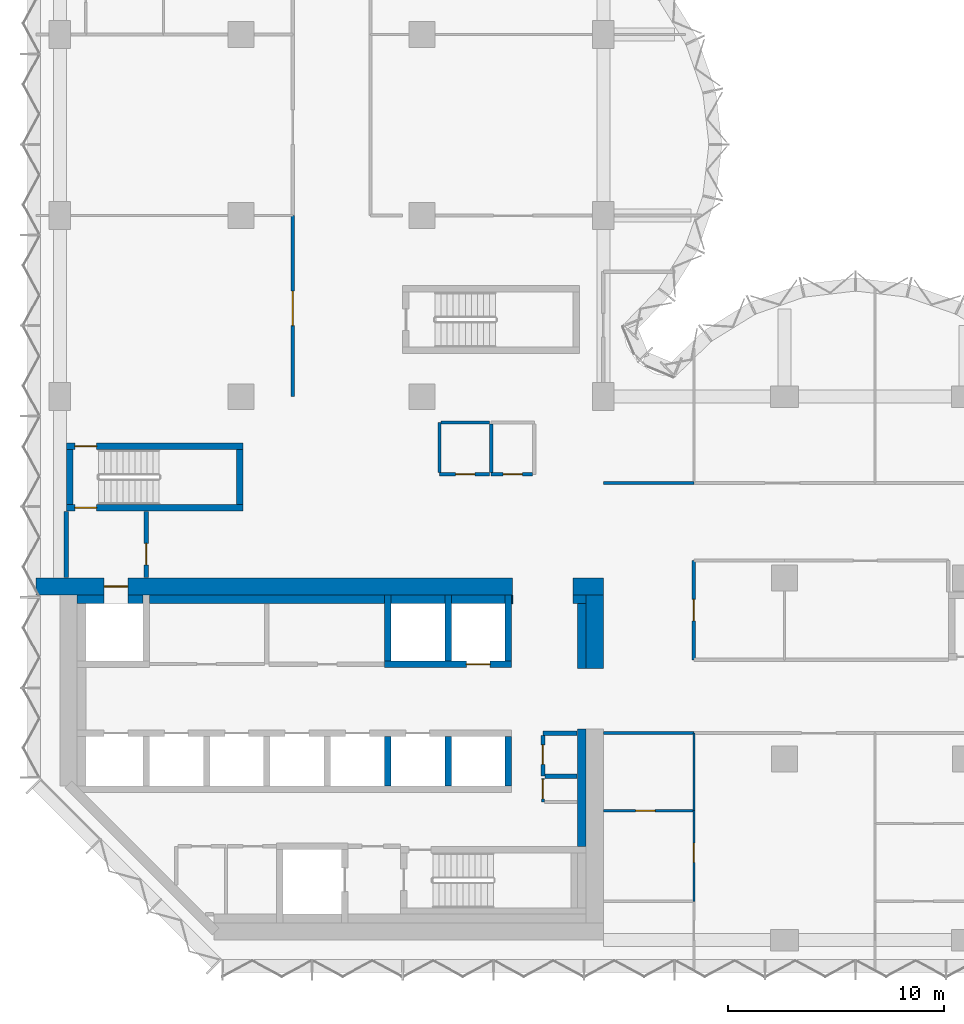
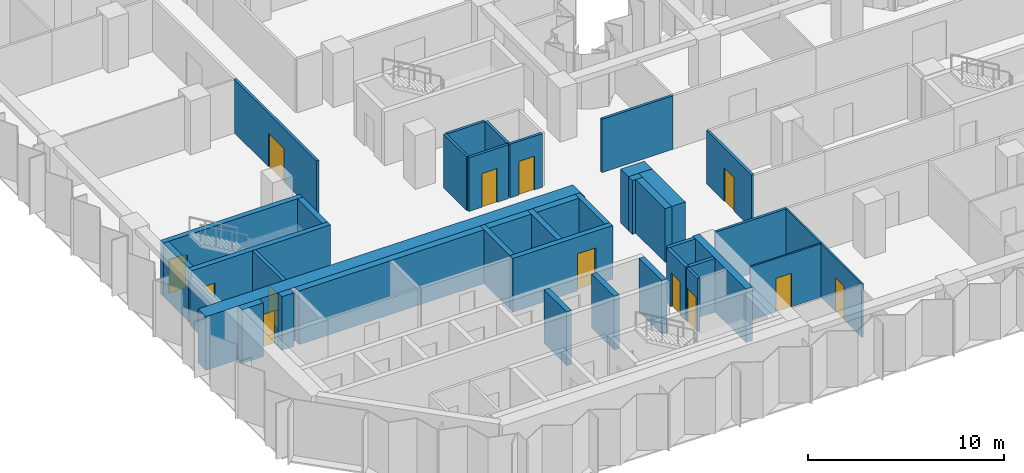
# One storey, part 8 of 13: 41 walls, 13 doors, 13 openings.
"""IFC4 building model written with IfcOpenShell, lengths in metres."""

from ifc_helpers import new_model, si_unit, direction, frame, frame_2d, origin, place, context, subcontext, project, spatial, rectangle, extrude, material, layer, layer_set, type_object, element, fill, save


model = new_model("IFC4")

# Units and contexts
model_context = context("Model", 3, precision=1e-05, world=origin(), true_north=direction((0.0, 1.0)))
body_context = subcontext(model_context, "Body", "Model", "MODEL_VIEW")
ifc_project = project(units=[si_unit("LENGTHUNIT", "METRE"), si_unit("AREAUNIT", "SQUARE_METRE"), si_unit("VOLUMEUNIT", "CUBIC_METRE"), si_unit("PLANEANGLEUNIT", "RADIAN"), si_unit("MASSUNIT", "GRAM", prefix="KILO")], contexts=[model_context])

# Site, building, storey
site_placement = place(None, origin())
site = spatial("IfcSite", under=ifc_project, at=site_placement, CompositionType="ELEMENT")
building_placement = place(site_placement, origin())
building = spatial("IfcBuilding", under=site, at=building_placement, Name="Brevane Broadcast Tower", CompositionType="ELEMENT")
storey_placement = place(building_placement, frame((0.0, 0.0, 102.5)))
storey = spatial("IfcBuildingStorey", under=building, at=storey_placement, Name="L24", CompositionType="ELEMENT", Elevation=102.5)

# Walls
ifc_material_1 = material(Name="Concrete C32/40", Category="concrete")
ifc_layer_1 = layer(ifc_material_1, 0.39990234375)
ifc_layer_set_1 = layer_set([ifc_layer_1], Name="Core chase wall 400 mm")
wall_type_1 = type_object("IfcWallType", Name="Core chase wall 400 mm", PredefinedType="PARTITIONING", material=ifc_layer_set_1)
wall_1_placement = place(storey_placement, frame((24.199951171875, 12.60009765625, 0.0), z_axis=(0.0, 0.0, 1.0), x_axis=(0.0, 1.0, 0.0)))
element("IfcWall", 1, at=wall_1_placement, inside=storey, type_object=wall_type_1, Name="L24 chase wall LE2", PredefinedType="PARTITIONING", context=body_context, shape_type="SweptSolid", body=[
    extrude(rectangle(XDim=3.0, YDim=0.39990234375, at=frame_2d((1.5, 0.0))), origin(), (0.0, 0.0, 1.0), 3.35009765625),
])
wall_2_placement = place(storey_placement, frame((0.800048828125, 15.800048828125, 0.0), z_axis=(0.0, 0.0, 1.0), x_axis=(1.0, 0.0, 0.0)))
element("IfcWall", 2, at=wall_2_placement, inside=storey, type_object=wall_type_1, Name="L24 chase wall LN0", PredefinedType="PARTITIONING", context=body_context, shape_type="SweptSolid", body=[
    extrude(rectangle(XDim=1.25, YDim=0.39990234375, at=frame_2d((0.625, 0.0))), origin(), (0.0, 0.0, 1.0), 3.35009765625),
])
wall_3_placement = place(storey_placement, frame((23.800048828125, 15.800048828125, 0.0), z_axis=(0.0, 0.0, 1.0), x_axis=(1.0, 0.0, 0.0)))
element("IfcWall", 3, at=wall_3_placement, inside=storey, type_object=wall_type_1, Name="L24 chase wall LN2", PredefinedType="PARTITIONING", context=body_context, shape_type="SweptSolid", body=[
    extrude(rectangle(XDim=0.599853515625, YDim=0.39990234375, at=frame_2d((0.2998046875, 0.0))), origin(), (0.0, 0.0, 1.0), 3.35009765625),
])
wall_4_placement = place(storey_placement, frame((3.14990234375, 15.800048828125, 0.0), z_axis=(0.0, 0.0, 1.0), x_axis=(1.0, 0.0, 0.0)))
element("IfcWall", 4, at=wall_4_placement, inside=storey, type_object=wall_type_1, Name="L24 chase wall LN1-1", PredefinedType="PARTITIONING", context=body_context, shape_type="SweptSolid", body=[
    extrude(rectangle(XDim=0.7001953125, YDim=0.39990234375, at=frame_2d((0.35009765625, 0.0))), origin(), (0.0, 0.0, 1.0), 3.35009765625),
])
wall_5_placement = place(storey_placement, frame((4.14990234375, 15.800048828125, 0.0), z_axis=(0.0, 0.0, 1.0), x_axis=(1.0, 0.0, 0.0)))
element("IfcWall", 5, at=wall_5_placement, inside=storey, type_object=wall_type_1, Name="L24 chase wall LN1-2-1", PredefinedType="PARTITIONING", context=body_context, shape_type="SweptSolid", body=[
    extrude(rectangle(XDim=10.900146484375, YDim=0.39990234375, at=frame_2d((5.4501953125, 0.0))), origin(), (0.0, 0.0, 1.0), 3.35009765625),
])
for number, where, z_axis, x_axis, name in (
    (6, (15.35009765625, 15.800048828125, 0.0), (0.0, 0.0, 1.0), (1.0, 0.0, 0.0), "L24 chase wall LN1-2-2-1"),
    (7, (18.14990234375, 15.800048828125, 0.0), (0.0, 0.0, 1.0), (1.0, 0.0, 0.0), "L24 chase wall LN1-2-2-2-1"),
):
    element("IfcWall", number, at=place(storey_placement, frame(where, z_axis=z_axis, x_axis=x_axis)), inside=storey, type_object=wall_type_1, Name=name, PredefinedType="PARTITIONING", context=body_context, shape_type="SweptSolid", body=[
        extrude(rectangle(XDim=2.5, YDim=0.39990234375, at=frame_2d((1.25, 0.0))), origin(), (0.0, 0.0, 1.0), 3.35009765625),
    ])
wall_6_placement = place(storey_placement, frame((20.949951171875, 15.800048828125, 0.0), z_axis=(0.0, 0.0, 1.0), x_axis=(1.0, 0.0, 0.0)))
element("IfcWall", 8, at=wall_6_placement, inside=storey, type_object=wall_type_1, Name="L24 chase wall LN1-2-2-2-2", PredefinedType="PARTITIONING", context=body_context, shape_type="SweptSolid", body=[
    extrude(rectangle(XDim=0.050048828125, YDim=0.39990234375, at=frame_2d((0.02490234375, 0.0))), origin(), (0.0, 0.0, 1.0), 3.35009765625),
])
wall_7_placement = place(storey_placement, frame((24.199951171875, 4.35009765625, 0.0), z_axis=(0.0, 0.0, 1.0), x_axis=(0.0, 1.0, 0.0)))
element("IfcWall", 9, at=wall_7_placement, inside=storey, type_object=wall_type_1, Name="L24 chase wall LE1-2-2", PredefinedType="PARTITIONING", context=body_context, shape_type="SweptSolid", body=[
    extrude(rectangle(XDim=5.449951171875, YDim=0.39990234375, at=frame_2d((2.72509765625, 0.0))), origin(), (0.0, 0.0, 1.0), 3.35009765625),
])

# Wall, opening, door
ifc_material_2 = material(Name="Gypsum board on steel studs", Category="steel")
ifc_layer_2 = layer(ifc_material_2, 0.14990234375)
ifc_layer_set_2 = layer_set([ifc_layer_2], Name="Core fire partition 150 mm")
wall_type_2 = type_object("IfcWallType", Name="Core fire partition 150 mm", PredefinedType="PARTITIONING", material=ifc_layer_set_2)
wall_8_placement = place(storey_placement, frame((21.925048828125, 21.60009765625, 0.0), z_axis=(0.0, 0.0, 1.0), x_axis=(-1.0, 0.0, 0.0)))
wall_8 = element("IfcWall", 10, at=wall_8_placement, inside=storey, type_object=wall_type_2, Name="L24 partition wall P17", PredefinedType="PARTITIONING", context=body_context, shape_type="SweptSolid", body=[
    extrude(rectangle(XDim=1.925048828125, YDim=0.14990234375, at=frame_2d((0.96240234375, 0.0))), origin(), (0.0, 0.0, 1.0), 3.35009765625),
])
opening_1_placement = place(wall_8_placement, frame((0.47509765625, 0.0, 0.0)))
opening_1 = element("IfcOpeningElement", 11, at=opening_1_placement, cuts=wall_8, Name="Opening L24-K24", PredefinedType="OPENING", context=body_context, shape_type="SweptSolid", body=[
    extrude(rectangle(XDim=0.89990234375, YDim=2.10009765625, at=frame_2d((0.449951171875, 1.050048828125))), frame((0.0, 0.0849609375, 0.0), z_axis=(0.0, -1.0, 0.0), x_axis=(1.0, 0.0, 0.0)), (0.0, 0.0, 1.0), 0.169921875),
])
ifc_material_3 = material(Name="Timber", Category="wood")
door_type_1 = type_object("IfcDoorType", Name="Toilet door 900 x 2100", OperationType="SINGLE_SWING_LEFT", PredefinedType="DOOR", material=ifc_material_3)
door_1_placement = place(opening_1_placement, origin())
door_1 = element("IfcDoor", 12, at=door_1_placement, inside=storey, type_object=door_type_1, Name="Door L24-K24", OperationType="SINGLE_SWING_RIGHT", OverallHeight=2.10009765625, OverallWidth=0.89990234375, PredefinedType="DOOR", context=body_context, shape_type="SweptSolid", body=[
    extrude(rectangle(XDim=0.89990234375, YDim=2.10009765625, at=frame_2d((0.449951171875, 1.050048828125))), frame((0.0, 0.02490234375, 0.0), z_axis=(0.0, -1.0, 0.0), x_axis=(1.0, 0.0, 0.0)), (0.0, 0.0, 1.0), 0.050048828125),
])
fill(opening_1, door_1)

# Wall
wall_9_placement = place(storey_placement, frame((20.0, 21.675048828125, 0.0), z_axis=(0.0, 0.0, 1.0), x_axis=(0.0, 1.0, 0.0)))
element("IfcWall", 13, at=wall_9_placement, inside=storey, type_object=wall_type_2, Name="L24 partition wall P18", PredefinedType="PARTITIONING", context=body_context, shape_type="SweptSolid", body=[
    extrude(rectangle(XDim=2.25, YDim=0.14990234375, at=frame_2d((1.125, 0.0))), origin(), (0.0, 0.0, 1.0), 3.35009765625),
])

# Wall, opening, door
wall_10_placement = place(storey_placement, frame((19.925048828125, 21.60009765625, 0.0), z_axis=(0.0, 0.0, 1.0), x_axis=(-1.0, 0.0, 0.0)))
wall_10 = element("IfcWall", 14, at=wall_10_placement, inside=storey, type_object=wall_type_2, Name="L24 partition wall P19", PredefinedType="PARTITIONING", context=body_context, shape_type="SweptSolid", body=[
    extrude(rectangle(XDim=2.324951171875, YDim=0.14990234375, at=frame_2d((1.16259765625, 0.0))), origin(), (0.0, 0.0, 1.0), 3.35009765625),
])
opening_2_placement = place(wall_10_placement, frame((0.675048828125, 0.0, 0.0)))
opening_2 = element("IfcOpeningElement", 15, at=opening_2_placement, cuts=wall_10, Name="Opening L24-K25", PredefinedType="OPENING", context=body_context, shape_type="SweptSolid", body=[
    extrude(rectangle(XDim=0.89990234375, YDim=2.10009765625, at=frame_2d((0.449951171875, 1.050048828125))), frame((0.0, 0.0849609375, 0.0), z_axis=(0.0, -1.0, 0.0), x_axis=(1.0, 0.0, 0.0)), (0.0, 0.0, 1.0), 0.169921875),
])
ifc_material_4 = material(Name="Steel", Category="steel")
door_type_2 = type_object("IfcDoorType", Name="Service room door 900 x 2100", OperationType="SINGLE_SWING_LEFT", PredefinedType="DOOR", material=ifc_material_4)
door_2_placement = place(opening_2_placement, origin())
door_2 = element("IfcDoor", 16, at=door_2_placement, inside=storey, type_object=door_type_2, Name="Door L24-K25", OperationType="SINGLE_SWING_LEFT", OverallHeight=2.10009765625, OverallWidth=0.89990234375, PredefinedType="DOOR", context=body_context, shape_type="SweptSolid", body=[
    extrude(rectangle(XDim=0.89990234375, YDim=2.10009765625, at=frame_2d((0.449951171875, 1.050048828125))), frame((0.0, 0.02490234375, 0.0), z_axis=(0.0, -1.0, 0.0), x_axis=(1.0, 0.0, 0.0)), (0.0, 0.0, 1.0), 0.050048828125),
])
fill(opening_2, door_2)

# Walls
wall_11_placement = place(storey_placement, frame((17.60009765625, 21.675048828125, 0.0), z_axis=(0.0, 0.0, 1.0), x_axis=(0.0, 1.0, 0.0)))
element("IfcWall", 17, at=wall_11_placement, inside=storey, type_object=wall_type_2, Name="L24 partition wall P20", PredefinedType="PARTITIONING", context=body_context, shape_type="SweptSolid", body=[
    extrude(rectangle(XDim=2.324951171875, YDim=0.14990234375, at=frame_2d((1.16259765625, 0.0))), origin(), (0.0, 0.0, 1.0), 3.35009765625),
])
wall_12_placement = place(storey_placement, frame((17.675048828125, 24.0, 0.0), z_axis=(0.0, 0.0, 1.0), x_axis=(1.0, 0.0, 0.0)))
element("IfcWall", 18, at=wall_12_placement, inside=storey, type_object=wall_type_2, Name="L24 partition wall P21", PredefinedType="PARTITIONING", context=body_context, shape_type="SweptSolid", body=[
    extrude(rectangle(XDim=2.25, YDim=0.14990234375, at=frame_2d((1.125, 0.0))), origin(), (0.0, 0.0, 1.0), 3.35009765625),
])

# Wall, opening, door
wall_13_placement = place(storey_placement, frame((22.39990234375, 7.5, 0.0), z_axis=(0.0, 0.0, 1.0), x_axis=(0.0, -1.0, 0.0)))
wall_13 = element("IfcWall", 19, at=wall_13_placement, inside=storey, type_object=wall_type_2, Name="L24 partition wall P22", PredefinedType="PARTITIONING", context=body_context, shape_type="SweptSolid", body=[
    extrude(rectangle(XDim=1.10009765625, YDim=0.14990234375, at=frame_2d((0.550048828125, 0.0))), origin(), (0.0, 0.0, 1.0), 3.35009765625),
])
opening_3_placement = place(wall_13_placement, frame((0.050048828125, 0.0, 0.0)))
opening_3 = element("IfcOpeningElement", 20, at=opening_3_placement, cuts=wall_13, Name="Opening L24-K19", PredefinedType="OPENING", context=body_context, shape_type="SweptSolid", body=[
    extrude(rectangle(XDim=0.89990234375, YDim=2.10009765625, at=frame_2d((0.449951171875, 1.050048828125))), frame((0.0, 0.0849609375, 0.0), z_axis=(0.0, -1.0, 0.0), x_axis=(1.0, 0.0, 0.0)), (0.0, 0.0, 1.0), 0.169921875),
])
door_3_placement = place(opening_3_placement, origin())
door_3 = element("IfcDoor", 21, at=door_3_placement, inside=storey, type_object=door_type_2, Name="Door L24-K19", OperationType="SINGLE_SWING_LEFT", OverallHeight=2.10009765625, OverallWidth=0.89990234375, PredefinedType="DOOR", context=body_context, shape_type="SweptSolid", body=[
    extrude(rectangle(XDim=0.89990234375, YDim=2.10009765625, at=frame_2d((0.449951171875, 1.050048828125))), frame((0.0, 0.02490234375, 0.0), z_axis=(0.0, -1.0, 0.0), x_axis=(1.0, 0.0, 0.0)), (0.0, 0.0, 1.0), 0.050048828125),
])
fill(opening_3, door_3)

# Wall
ifc_layer_3 = layer(ifc_material_2, 0.199951171875)
ifc_layer_set_3 = layer_set([ifc_layer_3], Name="Core fire partition 200 mm")
wall_type_3 = type_object("IfcWallType", Name="Core fire partition 200 mm", PredefinedType="PARTITIONING", material=ifc_layer_set_3)
wall_14_placement = place(storey_placement, frame((0.300048828125, 16.81201171875, 0.0), z_axis=(0.0, 0.0, 1.0), x_axis=(0.0, 1.0, 0.0)))
element("IfcWall", 22, at=wall_14_placement, inside=storey, type_object=wall_type_3, Name="L24 partition wall P01", PredefinedType="PARTITIONING", context=body_context, shape_type="SweptSolid", body=[
    extrude(rectangle(XDim=3.075927734375, YDim=0.199951171875, at=frame_2d((1.5380859375, 0.0))), origin(), (0.0, 0.0, 1.0), 2.97998046875),
])

# Wall, opening, door
wall_15_placement = place(storey_placement, frame((4.0, 19.887939453125, 0.0), z_axis=(0.0, 0.0, 1.0), x_axis=(0.0, -1.0, 0.0)))
wall_15 = element("IfcWall", 23, at=wall_15_placement, inside=storey, type_object=wall_type_3, Name="L24 partition wall P02", PredefinedType="PARTITIONING", context=body_context, shape_type="SweptSolid", body=[
    extrude(rectangle(XDim=3.075927734375, YDim=0.199951171875, at=frame_2d((1.5380859375, 0.0))), origin(), (0.0, 0.0, 1.0), 3.35009765625),
])
opening_4_placement = place(wall_15_placement, frame((1.488037109375, 0.0, 0.0)))
opening_4 = element("IfcOpeningElement", 24, at=opening_4_placement, cuts=wall_15, Name="Opening L24-K23", PredefinedType="OPENING", context=body_context, shape_type="SweptSolid", body=[
    extrude(rectangle(XDim=1.0, YDim=2.10009765625, at=frame_2d((0.5, 1.050048828125))), frame((0.0, 0.10986328125, 0.0), z_axis=(0.0, -1.0, 0.0), x_axis=(1.0, 0.0, 0.0)), (0.0, 0.0, 1.0), 0.219970703125),
])
door_type_3 = type_object("IfcDoorType", Name="Stair door 1000 x 2100", OperationType="SINGLE_SWING_LEFT", PredefinedType="DOOR", material=ifc_material_4)
door_4_placement = place(opening_4_placement, origin())
door_4 = element("IfcDoor", 25, at=door_4_placement, inside=storey, type_object=door_type_3, Name="Door L24-K23", OperationType="SINGLE_SWING_LEFT", OverallHeight=2.10009765625, OverallWidth=1.0, PredefinedType="DOOR", context=body_context, shape_type="SweptSolid", body=[
    extrude(rectangle(XDim=1.0, YDim=2.10009765625, at=frame_2d((0.5, 1.050048828125))), frame((0.0, 0.02490234375, 0.0), z_axis=(0.0, -1.0, 0.0), x_axis=(1.0, 0.0, 0.0)), (0.0, 0.0, 1.0), 0.050048828125),
])
fill(opening_4, door_4)

# Wall
wall_16_placement = place(storey_placement, frame((23.988037109375, 9.60009765625, 0.0), z_axis=(0.0, 0.0, 1.0), x_axis=(-1.0, 0.0, 0.0)))
element("IfcWall", 26, at=wall_16_placement, inside=storey, type_object=wall_type_3, Name="L24 partition wall P06", PredefinedType="PARTITIONING", context=body_context, shape_type="SweptSolid", body=[
    extrude(rectangle(XDim=1.588134765625, YDim=0.199951171875, at=frame_2d((0.7939453125, 0.0))), origin(), (0.0, 0.0, 1.0), 3.35009765625),
])

# Wall, opening, door
wall_17_placement = place(storey_placement, frame((22.39990234375, 9.5, 0.0), z_axis=(0.0, 0.0, 1.0), x_axis=(0.0, -1.0, 0.0)))
wall_17 = element("IfcWall", 27, at=wall_17_placement, inside=storey, type_object=wall_type_3, Name="L24 partition wall P07", PredefinedType="PARTITIONING", context=body_context, shape_type="SweptSolid", body=[
    extrude(rectangle(XDim=1.89990234375, YDim=0.199951171875, at=frame_2d((0.949951171875, 0.0))), origin(), (0.0, 0.0, 1.0), 3.35009765625),
])
opening_5_placement = place(wall_17_placement, frame((0.449951171875, 0.0, 0.0)))
opening_5 = element("IfcOpeningElement", 28, at=opening_5_placement, cuts=wall_17, Name="Opening L24-K20", PredefinedType="OPENING", context=body_context, shape_type="SweptSolid", body=[
    extrude(rectangle(XDim=0.89990234375, YDim=2.10009765625, at=frame_2d((0.449951171875, 1.050048828125))), frame((0.0, 0.10986328125, 0.0), z_axis=(0.0, -1.0, 0.0), x_axis=(1.0, 0.0, 0.0)), (0.0, 0.0, 1.0), 0.219970703125),
])
door_5_placement = place(opening_5_placement, origin())
door_5 = element("IfcDoor", 29, at=door_5_placement, inside=storey, type_object=door_type_2, Name="Door L24-K20", OperationType="SINGLE_SWING_RIGHT", OverallHeight=2.10009765625, OverallWidth=0.89990234375, PredefinedType="DOOR", context=body_context, shape_type="SweptSolid", body=[
    extrude(rectangle(XDim=0.89990234375, YDim=2.10009765625, at=frame_2d((0.449951171875, 1.050048828125))), frame((0.0, 0.02490234375, 0.0), z_axis=(0.0, -1.0, 0.0), x_axis=(1.0, 0.0, 0.0)), (0.0, 0.0, 1.0), 0.050048828125),
])
fill(opening_5, door_5)

# Walls
wall_18_placement = place(storey_placement, frame((22.5, 7.60009765625, 0.0), z_axis=(0.0, 0.0, 1.0), x_axis=(1.0, 0.0, 0.0)))
element("IfcWall", 30, at=wall_18_placement, inside=storey, type_object=wall_type_3, Name="L24 partition wall P08", PredefinedType="PARTITIONING", context=body_context, shape_type="SweptSolid", body=[
    extrude(rectangle(XDim=1.488037109375, YDim=0.199951171875, at=frame_2d((0.744140625, 0.0))), origin(), (0.0, 0.0, 1.0), 3.35009765625),
])
ifc_material_5 = material(Name="Concrete C60/75", Category="concrete")
ifc_layer_4 = layer(ifc_material_5, 0.300048828125)
ifc_layer_set_4 = layer_set([ifc_layer_4], Name="Core wall 300 mm C60/75")
wall_type_4 = type_object("IfcWallType", Name="Core wall 300 mm C60/75", PredefinedType="SHEAR", material=ifc_layer_set_4)
for number, where, z_axis, x_axis, name in (
    (31, (15.199951171875, 7.14990234375, 0.0), (0.0, 0.0, 1.0), (0.0, 1.0, 0.0), "L24 shaft wall SH-S-P152"),
    (32, (18.0, 7.14990234375, 0.0), (0.0, 0.0, 1.0), (0.0, 1.0, 0.0), "L24 shaft wall SH-S-P180"),
    (33, (20.800048828125, 7.14990234375, 0.0), (0.0, 0.0, 1.0), (0.0, 1.0, 0.0), "L24 shaft wall SH-S-P208"),
):
    element("IfcWall", number, at=place(storey_placement, frame(where, z_axis=z_axis, x_axis=x_axis)), inside=storey, type_object=wall_type_4, Name=name, PredefinedType="SHEAR", context=body_context, shape_type="SweptSolid", body=[
        extrude(rectangle(XDim=2.300048828125, YDim=0.300048828125, at=frame_2d((1.14990234375, 0.0))), origin(), (0.0, 0.0, 1.0), 3.35009765625),
    ])

# Wall, opening, door
wall_19_placement = place(storey_placement, frame((15.050048828125, 12.800048828125, 0.0), z_axis=(0.0, 0.0, 1.0), x_axis=(1.0, 0.0, 0.0)))
wall_19 = element("IfcWall", 34, at=wall_19_placement, inside=storey, type_object=wall_type_4, Name="L24 shaft wall SH-N152-front", PredefinedType="SHEAR", context=body_context, shape_type="SweptSolid", body=[
    extrude(rectangle(XDim=5.89990234375, YDim=0.300048828125, at=frame_2d((2.949951171875, 0.0))), origin(), (0.0, 0.0, 1.0), 3.35009765625),
])
opening_6_placement = place(wall_19_placement, frame((3.800048828125, 0.0, 0.0)))
opening_6 = element("IfcOpeningElement", 35, at=opening_6_placement, cuts=wall_19, Name="Opening LD", PredefinedType="OPENING", context=body_context, shape_type="SweptSolid", body=[
    extrude(rectangle(XDim=1.10009765625, YDim=2.300048828125, at=frame_2d((0.550048828125, 1.14990234375))), frame((0.0, 0.159912109375, 0.0), z_axis=(0.0, -1.0, 0.0), x_axis=(1.0, 0.0, 0.0)), (0.0, 0.0, 1.0), 0.320068359375),
])
ifc_material_6 = material(Name="Stainless steel", Category="steel")
door_type_4 = type_object("IfcDoorType", Name="Lift landing door", OperationType="SLIDING_TO_LEFT", PredefinedType="DOOR", material=ifc_material_6)
door_6_placement = place(opening_6_placement, origin())
door_6 = element("IfcDoor", 36, at=door_6_placement, inside=storey, type_object=door_type_4, Name="Landing door SL1 L24", OperationType="SLIDING_TO_LEFT", OverallHeight=2.300048828125, OverallWidth=1.10009765625, PredefinedType="DOOR", context=body_context, shape_type="SweptSolid", body=[
    extrude(rectangle(XDim=1.10009765625, YDim=2.300048828125, at=frame_2d((0.550048828125, 1.14990234375))), frame((0.0, 0.02490234375, 0.0), z_axis=(0.0, -1.0, 0.0), x_axis=(1.0, 0.0, 0.0)), (0.0, 0.0, 1.0), 0.050048828125),
])
fill(opening_6, door_6)

# Walls
for number, where, z_axis, x_axis, name in (
    (37, (15.199951171875, 12.949951171875, 0.0), (0.0, 0.0, 1.0), (0.0, 1.0, 0.0), "L24 shaft wall SH-N-P152"),
    (38, (18.0, 12.949951171875, 0.0), (0.0, 0.0, 1.0), (0.0, 1.0, 0.0), "L24 shaft wall SH-N-P180"),
    (39, (20.800048828125, 12.949951171875, 0.0), (0.0, 0.0, 1.0), (0.0, 1.0, 0.0), "L24 shaft wall SH-N-P208"),
):
    element("IfcWall", number, at=place(storey_placement, frame(where, z_axis=z_axis, x_axis=x_axis)), inside=storey, type_object=wall_type_4, Name=name, PredefinedType="SHEAR", context=body_context, shape_type="SweptSolid", body=[
        extrude(rectangle(XDim=3.050048828125, YDim=0.300048828125, at=frame_2d((1.52490234375, 0.0))), origin(), (0.0, 0.0, 1.0), 3.35009765625),
    ])

# Wall, opening, door
wall_20_placement = place(storey_placement, frame((8.5, 20.050048828125, 0.0), z_axis=(0.0, 0.0, 1.0), x_axis=(-1.0, 0.0, 0.0)))
wall_20 = element("IfcWall", 40, at=wall_20_placement, inside=storey, type_object=wall_type_4, Name="L24 stair wall ST-1-S", PredefinedType="SHEAR", context=body_context, shape_type="SweptSolid", body=[
    extrude(rectangle(XDim=8.199951171875, YDim=0.300048828125, at=frame_2d((4.10009765625, 0.0))), origin(), (0.0, 0.0, 1.0), 3.35009765625),
])
opening_7_placement = place(wall_20_placement, frame((6.800048828125, 0.0, 0.0)))
opening_7 = element("IfcOpeningElement", 41, at=opening_7_placement, cuts=wall_20, Name="Opening L24-K10", PredefinedType="OPENING", context=body_context, shape_type="SweptSolid", body=[
    extrude(rectangle(XDim=1.0, YDim=2.10009765625, at=frame_2d((0.5, 1.050048828125))), frame((0.0, 0.159912109375, 0.0), z_axis=(0.0, -1.0, 0.0), x_axis=(1.0, 0.0, 0.0)), (0.0, 0.0, 1.0), 0.320068359375),
])
door_7_placement = place(opening_7_placement, origin())
door_7 = element("IfcDoor", 42, at=door_7_placement, inside=storey, type_object=door_type_3, Name="Door L24-K10", OperationType="SINGLE_SWING_RIGHT", OverallHeight=2.10009765625, OverallWidth=1.0, PredefinedType="DOOR", context=body_context, shape_type="SweptSolid", body=[
    extrude(rectangle(XDim=1.0, YDim=2.10009765625, at=frame_2d((0.5, 1.050048828125))), frame((0.0, 0.02490234375, 0.0), z_axis=(0.0, -1.0, 0.0), x_axis=(1.0, 0.0, 0.0)), (0.0, 0.0, 1.0), 0.050048828125),
])
fill(opening_7, door_7)

wall_21_placement = place(storey_placement, frame((0.300048828125, 22.89990234375, 0.0), z_axis=(0.0, 0.0, 1.0), x_axis=(1.0, 0.0, 0.0)))
wall_21 = element("IfcWall", 43, at=wall_21_placement, inside=storey, type_object=wall_type_4, Name="L24 stair wall ST-1-N", PredefinedType="SHEAR", context=body_context, shape_type="SweptSolid", body=[
    extrude(rectangle(XDim=8.199951171875, YDim=0.300048828125, at=frame_2d((4.10009765625, 0.0))), origin(), (0.0, 0.0, 1.0), 3.35009765625),
])
opening_8_placement = place(wall_21_placement, frame((0.39990234375, 0.0, 0.0)))
opening_8 = element("IfcOpeningElement", 44, at=opening_8_placement, cuts=wall_21, Name="Opening L24-K11", PredefinedType="OPENING", context=body_context, shape_type="SweptSolid", body=[
    extrude(rectangle(XDim=1.0, YDim=2.10009765625, at=frame_2d((0.5, 1.050048828125))), frame((0.0, 0.159912109375, 0.0), z_axis=(0.0, -1.0, 0.0), x_axis=(1.0, 0.0, 0.0)), (0.0, 0.0, 1.0), 0.320068359375),
])
door_8_placement = place(opening_8_placement, origin())
door_8 = element("IfcDoor", 45, at=door_8_placement, inside=storey, type_object=door_type_3, Name="Door L24-K11", OperationType="SINGLE_SWING_LEFT", OverallHeight=2.10009765625, OverallWidth=1.0, PredefinedType="DOOR", context=body_context, shape_type="SweptSolid", body=[
    extrude(rectangle(XDim=1.0, YDim=2.10009765625, at=frame_2d((0.5, 1.050048828125))), frame((0.0, 0.02490234375, 0.0), z_axis=(0.0, -1.0, 0.0), x_axis=(1.0, 0.0, 0.0)), (0.0, 0.0, 1.0), 0.050048828125),
])
fill(opening_8, door_8)

# Walls
for number, where, z_axis, x_axis, name in (
    (46, (0.449951171875, 20.199951171875, 0.0), (0.0, 0.0, 1.0), (0.0, 1.0, 0.0), "L24 stair wall ST-1-W"),
    (47, (8.35009765625, 20.199951171875, 0.0), (0.0, 0.0, 1.0), (0.0, 1.0, 0.0), "L24 stair wall ST-1-E"),
):
    element("IfcWall", number, at=place(storey_placement, frame(where, z_axis=z_axis, x_axis=x_axis)), inside=storey, type_object=wall_type_4, Name=name, PredefinedType="SHEAR", context=body_context, shape_type="SweptSolid", body=[
        extrude(rectangle(XDim=2.550048828125, YDim=0.300048828125, at=frame_2d((1.27490234375, 0.0))), origin(), (0.0, 0.0, 1.0), 3.35009765625),
    ])

# Wall, opening, door
ifc_layer_5 = layer(ifc_material_5, 0.800048828125)
ifc_layer_set_5 = layer_set([ifc_layer_5], Name="Core wall 800 mm C60/75")
wall_type_5 = type_object("IfcWallType", Name="Core wall 800 mm C60/75", PredefinedType="SHEAR", material=ifc_layer_set_5)
wall_22_placement = place(storey_placement, frame((-1.10009765625, 16.39990234375, 0.0), z_axis=(0.0, 0.0, 1.0), x_axis=(1.0, 0.0, 0.0)))
wall_22 = element("IfcWall", 48, at=wall_22_placement, inside=storey, type_object=wall_type_5, Name="L24 outer wall WN1", PredefinedType="SHEAR", context=body_context, shape_type="SweptSolid", body=[
    extrude(rectangle(XDim=22.10009765625, YDim=0.800048828125, at=frame_2d((11.050048828125, 0.0))), origin(), (0.0, 0.0, 1.0), 3.35009765625),
])
opening_9_placement = place(wall_22_placement, frame((3.14990234375, 0.0, 0.0)))
opening_9 = element("IfcOpeningElement", 49, at=opening_9_placement, cuts=wall_22, Name="Opening LD", PredefinedType="OPENING", context=body_context, shape_type="SweptSolid", body=[
    extrude(rectangle(XDim=1.10009765625, YDim=2.300048828125, at=frame_2d((0.550048828125, 1.14990234375))), frame((0.0, 0.409912109375, 0.0), z_axis=(0.0, -1.0, 0.0), x_axis=(1.0, 0.0, 0.0)), (0.0, 0.0, 1.0), 0.820068359375),
])
door_9_placement = place(opening_9_placement, origin())
door_9 = element("IfcDoor", 50, at=door_9_placement, inside=storey, type_object=door_type_4, Name="Landing door FF1 L24", OperationType="SLIDING_TO_LEFT", OverallHeight=2.300048828125, OverallWidth=1.10009765625, PredefinedType="DOOR", context=body_context, shape_type="SweptSolid", body=[
    extrude(rectangle(XDim=1.10009765625, YDim=2.300048828125, at=frame_2d((0.550048828125, 1.14990234375))), frame((0.0, 0.02490234375, 0.0), z_axis=(0.0, -1.0, 0.0), x_axis=(1.0, 0.0, 0.0)), (0.0, 0.0, 1.0), 0.050048828125),
])
fill(opening_9, door_9)

# Walls
wall_23_placement = place(storey_placement, frame((23.800048828125, 16.39990234375, 0.0), z_axis=(0.0, 0.0, 1.0), x_axis=(1.0, 0.0, 0.0)))
element("IfcWall", 51, at=wall_23_placement, inside=storey, type_object=wall_type_5, Name="L24 outer wall WN2", PredefinedType="SHEAR", context=body_context, shape_type="SweptSolid", body=[
    extrude(rectangle(XDim=1.39990234375, YDim=0.800048828125, at=frame_2d((0.699951171875, 0.0))), origin(), (0.0, 0.0, 1.0), 3.35009765625),
])
wall_24_placement = place(storey_placement, frame((24.800048828125, 12.60009765625, 0.0), z_axis=(0.0, 0.0, 1.0), x_axis=(0.0, 1.0, 0.0)))
element("IfcWall", 52, at=wall_24_placement, inside=storey, type_object=wall_type_5, Name="L24 outer wall WE2", PredefinedType="SHEAR", context=body_context, shape_type="SweptSolid", body=[
    extrude(rectangle(XDim=3.39990234375, YDim=0.800048828125, at=frame_2d((1.699951171875, 0.0))), origin(), (0.0, 0.0, 1.0), 3.35009765625),
])

# Wall, opening, door
ifc_material_7 = material(Name="Gypsum board partition")
ifc_layer_6 = layer(ifc_material_7, 0.10009765625)
ifc_layer_set_6 = layer_set([ifc_layer_6], Name="PARTITION 100 STUD")
wall_type_6 = type_object("IfcWallType", Name="PARTITION 100 STUD", PredefinedType="PARTITIONING", material=ifc_layer_set_6)
wall_25_placement = place(storey_placement, frame((29.39990234375, 1.800048828125, 0.0), z_axis=(0.0, 0.0, 1.0), x_axis=(0.0, 1.0, 0.0)))
wall_25 = element("IfcWall", 53, at=wall_25_placement, inside=storey, type_object=wall_type_6, Name="Partition G07-032", PredefinedType="PARTITIONING", context=body_context, shape_type="SweptSolid", body=[
    extrude(rectangle(XDim=4.199951171875, YDim=0.10009765625, at=frame_2d((2.10009765625, 0.0))), origin(), (0.0, 0.0, 1.0), 3.330078125),
])
opening_10_placement = place(wall_25_placement, frame((1.800048828125, 0.0, 0.0)))
opening_10 = element("IfcOpeningElement", 54, at=opening_10_placement, cuts=wall_25, Name="Opening D14-011", PredefinedType="OPENING", context=body_context, shape_type="SweptSolid", body=[
    extrude(rectangle(XDim=0.89990234375, YDim=2.10009765625, at=frame_2d((0.449951171875, 1.050048828125))), frame((0.0, 0.06005859375, 0.0), z_axis=(0.0, -1.0, 0.0), x_axis=(1.0, 0.0, 0.0)), (0.0, 0.0, 1.0), 0.1201171875),
])
ifc_material_8 = material(Name="Timber door leaf", Category="wood")
door_type_5 = type_object("IfcDoorType", Name="DOOR SINGLE 900 INTERNAL", OperationType="SINGLE_SWING_LEFT", PredefinedType="DOOR", material=ifc_material_8)
door_10_placement = place(opening_10_placement, origin())
door_10 = element("IfcDoor", 55, at=door_10_placement, inside=storey, type_object=door_type_5, Name="Door D14-011", OperationType="SINGLE_SWING_LEFT", OverallHeight=2.10009765625, OverallWidth=0.89990234375, PredefinedType="DOOR", context=body_context, shape_type="SweptSolid", body=[
    extrude(rectangle(XDim=0.89990234375, YDim=2.10009765625, at=frame_2d((0.449951171875, 1.050048828125))), frame((0.0, 0.02490234375, 0.0), z_axis=(0.0, -1.0, 0.0), x_axis=(1.0, 0.0, 0.0)), (0.0, 0.0, 1.0), 0.050048828125),
])
fill(opening_10, door_10)

# Wall
wall_26_placement = place(storey_placement, frame((29.39990234375, 6.0, 0.0), z_axis=(0.0, 0.0, 1.0), x_axis=(0.0, 1.0, 0.0)))
element("IfcWall", 56, at=wall_26_placement, inside=storey, type_object=wall_type_6, Name="Partition G07-033", PredefinedType="PARTITIONING", context=body_context, shape_type="SweptSolid", body=[
    extrude(rectangle(XDim=3.60009765625, YDim=0.10009765625, at=frame_2d((1.800048828125, 0.0))), origin(), (0.0, 0.0, 1.0), 3.330078125),
])

# Wall, opening, door
wall_27_placement = place(storey_placement, frame((25.199951171875, 6.0, 0.0), z_axis=(0.0, 0.0, 1.0), x_axis=(1.0, 0.0, 0.0)))
wall_27 = element("IfcWall", 57, at=wall_27_placement, inside=storey, type_object=wall_type_6, Name="Partition G07-042", PredefinedType="PARTITIONING", context=body_context, shape_type="SweptSolid", body=[
    extrude(rectangle(XDim=4.199951171875, YDim=0.10009765625, at=frame_2d((2.10009765625, 0.0))), origin(), (0.0, 0.0, 1.0), 3.330078125),
])
opening_11_placement = place(wall_27_placement, frame((1.5, 0.0, 0.0)))
opening_11 = element("IfcOpeningElement", 58, at=opening_11_placement, cuts=wall_27, Name="Opening D14-012", PredefinedType="OPENING", context=body_context, shape_type="SweptSolid", body=[
    extrude(rectangle(XDim=0.89990234375, YDim=2.10009765625, at=frame_2d((0.449951171875, 1.050048828125))), frame((0.0, 0.06005859375, 0.0), z_axis=(0.0, -1.0, 0.0), x_axis=(1.0, 0.0, 0.0)), (0.0, 0.0, 1.0), 0.1201171875),
])
door_11_placement = place(opening_11_placement, origin())
door_11 = element("IfcDoor", 59, at=door_11_placement, inside=storey, type_object=door_type_5, Name="Door D14-012", OperationType="SINGLE_SWING_LEFT", OverallHeight=2.10009765625, OverallWidth=0.89990234375, PredefinedType="DOOR", context=body_context, shape_type="SweptSolid", body=[
    extrude(rectangle(XDim=0.89990234375, YDim=2.10009765625, at=frame_2d((0.449951171875, 1.050048828125))), frame((0.0, 0.02490234375, 0.0), z_axis=(0.0, -1.0, 0.0), x_axis=(1.0, 0.0, 0.0)), (0.0, 0.0, 1.0), 0.050048828125),
])
fill(opening_11, door_11)

# Wall
ifc_layer_7 = layer(ifc_material_7, 0.14990234375)
ifc_layer_set_7 = layer_set([ifc_layer_7], Name="PARTITION 150 EI 60")
wall_type_7 = type_object("IfcWallType", Name="PARTITION 150 EI 60", PredefinedType="PARTITIONING", material=ifc_layer_set_7)
wall_28_placement = place(storey_placement, frame((25.199951171875, 21.199951171875, 0.0), z_axis=(0.0, 0.0, 1.0), x_axis=(1.0, 0.0, 0.0)))
element("IfcWall", 60, at=wall_28_placement, inside=storey, type_object=wall_type_7, Name="Partition G07-001", PredefinedType="PARTITIONING", context=body_context, shape_type="SweptSolid", body=[
    extrude(rectangle(XDim=4.199951171875, YDim=0.14990234375, at=frame_2d((2.10009765625, 0.0))), origin(), (0.0, 0.0, 1.0), 3.330078125),
])

# Wall, opening, door
wall_29_placement = place(storey_placement, frame((29.39990234375, 17.60009765625, 0.0), z_axis=(0.0, 0.0, 1.0), x_axis=(0.0, -1.0, 0.0)))
wall_29 = element("IfcWall", 61, at=wall_29_placement, inside=storey, type_object=wall_type_7, Name="Partition G07-002", PredefinedType="PARTITIONING", context=body_context, shape_type="SweptSolid", body=[
    extrude(rectangle(XDim=4.60009765625, YDim=0.14990234375, at=frame_2d((2.300048828125, 0.0))), origin(), (0.0, 0.0, 1.0), 3.330078125),
])
opening_12_placement = place(wall_29_placement, frame((1.800048828125, 0.0, 0.0)))
opening_12 = element("IfcOpeningElement", 62, at=opening_12_placement, cuts=wall_29, Name="Opening D14-003", PredefinedType="OPENING", context=body_context, shape_type="SweptSolid", body=[
    extrude(rectangle(XDim=1.0, YDim=2.10009765625, at=frame_2d((0.5, 1.050048828125))), frame((0.0, 0.0849609375, 0.0), z_axis=(0.0, -1.0, 0.0), x_axis=(1.0, 0.0, 0.0)), (0.0, 0.0, 1.0), 0.169921875),
])
ifc_material_9 = material(Name="Fire-rated timber door leaf", Category="wood")
door_type_6 = type_object("IfcDoorType", Name="DOOR SINGLE 1000 FD30S", OperationType="SINGLE_SWING_LEFT", PredefinedType="DOOR", material=ifc_material_9)
door_12_placement = place(opening_12_placement, origin())
door_12 = element("IfcDoor", 63, at=door_12_placement, inside=storey, type_object=door_type_6, Name="Door D14-003", OperationType="SINGLE_SWING_LEFT", OverallHeight=2.10009765625, OverallWidth=1.0, PredefinedType="DOOR", context=body_context, shape_type="SweptSolid", body=[
    extrude(rectangle(XDim=1.0, YDim=2.10009765625, at=frame_2d((0.5, 1.050048828125))), frame((0.0, 0.02490234375, 0.0), z_axis=(0.0, -1.0, 0.0), x_axis=(1.0, 0.0, 0.0)), (0.0, 0.0, 1.0), 0.050048828125),
])
fill(opening_12, door_12)

# Wall
wall_30_placement = place(storey_placement, frame((29.39990234375, 9.60009765625, 0.0), z_axis=(0.0, 0.0, 1.0), x_axis=(-1.0, 0.0, 0.0)))
element("IfcWall", 64, at=wall_30_placement, inside=storey, type_object=wall_type_7, Name="Partition G07-003", PredefinedType="PARTITIONING", context=body_context, shape_type="SweptSolid", body=[
    extrude(rectangle(XDim=4.199951171875, YDim=0.14990234375, at=frame_2d((2.10009765625, 0.0))), origin(), (0.0, 0.0, 1.0), 3.330078125),
])

# Wall, opening, door
wall_31_placement = place(storey_placement, frame((10.800048828125, 25.199951171875, 0.0), z_axis=(0.0, 0.0, 1.0), x_axis=(0.0, 1.0, 0.0)))
wall_31 = element("IfcWall", 65, at=wall_31_placement, inside=storey, type_object=wall_type_7, Name="Partition G07-048", PredefinedType="PARTITIONING", context=body_context, shape_type="SweptSolid", body=[
    extrude(rectangle(XDim=8.400146484375, YDim=0.14990234375, at=frame_2d((4.2001953125, 0.0))), origin(), (0.0, 0.0, 1.0), 3.330078125),
])
opening_13_placement = place(wall_31_placement, frame((3.300048828125, 0.0, 0.0)))
opening_13 = element("IfcOpeningElement", 66, at=opening_13_placement, cuts=wall_31, Name="Opening D14-018", PredefinedType="OPENING", context=body_context, shape_type="SweptSolid", body=[
    extrude(rectangle(XDim=1.60009765625, YDim=2.10009765625, at=frame_2d((0.800048828125, 1.050048828125))), frame((0.0, 0.0849609375, 0.0), z_axis=(0.0, -1.0, 0.0), x_axis=(1.0, 0.0, 0.0)), (0.0, 0.0, 1.0), 0.169921875),
])
door_type_7 = type_object("IfcDoorType", Name="DOOR DOUBLE 1600 FD30S", OperationType="DOUBLE_DOOR_SINGLE_SWING", PredefinedType="DOOR", material=ifc_material_9)
door_13_placement = place(opening_13_placement, origin())
door_13 = element("IfcDoor", 67, at=door_13_placement, inside=storey, type_object=door_type_7, Name="Door D14-018", OperationType="DOUBLE_DOOR_SINGLE_SWING", OverallHeight=2.10009765625, OverallWidth=1.60009765625, PredefinedType="DOOR", context=body_context, shape_type="SweptSolid", body=[
    extrude(rectangle(XDim=1.60009765625, YDim=2.10009765625, at=frame_2d((0.800048828125, 1.050048828125))), frame((0.0, 0.02490234375, 0.0), z_axis=(0.0, -1.0, 0.0), x_axis=(1.0, 0.0, 0.0)), (0.0, 0.0, 1.0), 0.050048828125),
])
fill(opening_13, door_13)

save(model, "model.ifc")
